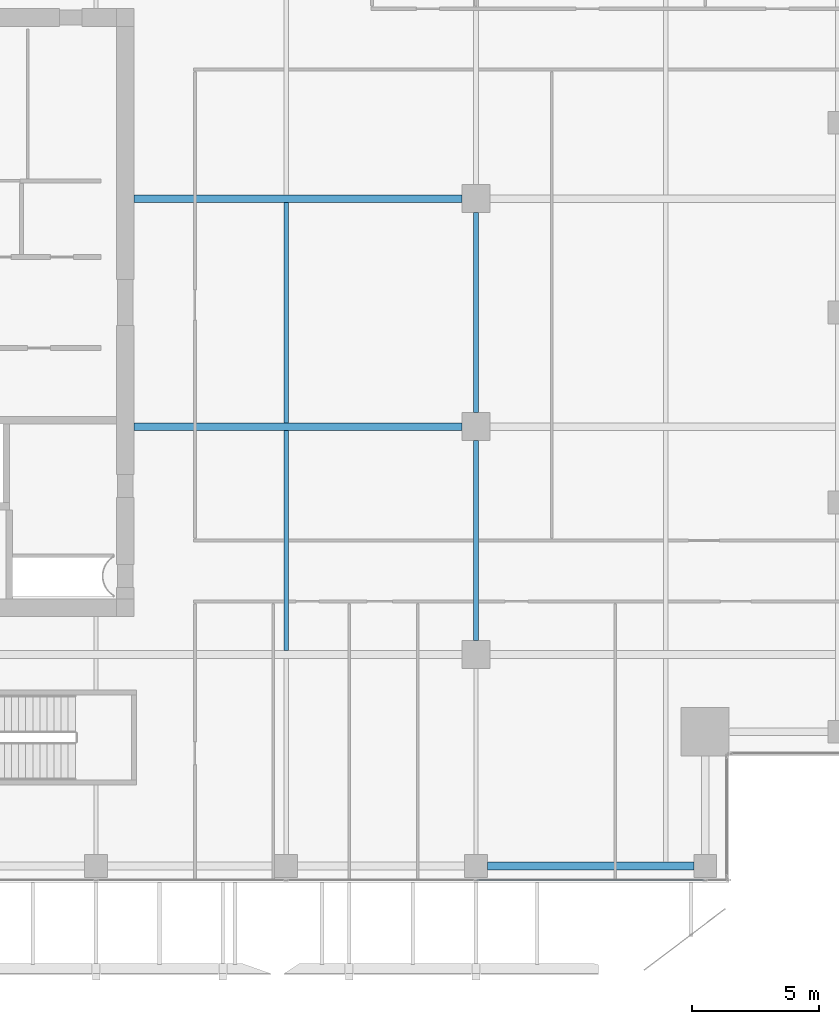
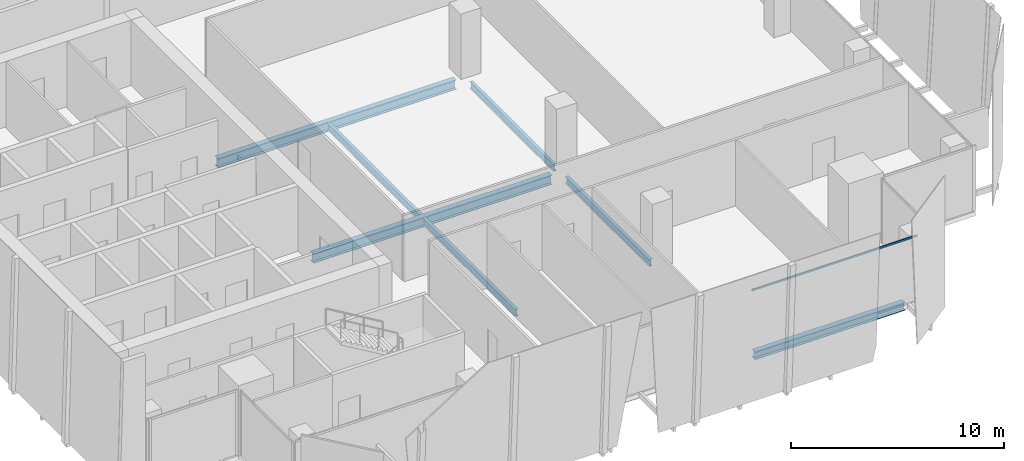
# One storey, part 7 of 35: 7 beams, 1 member, 1 element without a shape of its own.
"""IFC4 building model written with IfcOpenShell, lengths in metres."""

from ifc_helpers import new_model, si_unit, direction, frame, origin, origin_2d, place, context, subcontext, project, spatial, hollow_rectangle, i_section, extrude, source, transform, mapped, material, material_profile, profile_set, type_object, element, aggregate, save


model = new_model("IFC4")

# Units and contexts
model_context = context("Model", 3, precision=1e-05, world=origin(), true_north=direction((0.0, 1.0)))
body_context = subcontext(model_context, "Body", "Model", "MODEL_VIEW")
ifc_project = project(units=[si_unit("LENGTHUNIT", "METRE"), si_unit("AREAUNIT", "SQUARE_METRE"), si_unit("VOLUMEUNIT", "CUBIC_METRE"), si_unit("PLANEANGLEUNIT", "RADIAN"), si_unit("MASSUNIT", "GRAM", prefix="KILO")], contexts=[model_context])

# Site, building, storey
site_placement = place(None, origin())
site = spatial("IfcSite", under=ifc_project, at=site_placement, CompositionType="ELEMENT")
building_placement = place(site_placement, origin())
building = spatial("IfcBuilding", under=site, at=building_placement, Name="Khomas Fold Tower", CompositionType="ELEMENT")
storey_placement = place(building_placement, frame((0.0, 0.0, 266.199951171875)))
storey = spatial("IfcBuildingStorey", under=building, at=storey_placement, Name="L60", CompositionType="ELEMENT", Elevation=266.199951171875)

# Beams
ifc_material_1 = material(Name="Steel S355", Category="steel")
ifc_material_profile_1 = material_profile(ifc_material_1, i_section(OverallWidth=0.179931640625, OverallDepth=0.39990234375, WebThickness=0.008544921875, FlangeThickness=0.013427734375, at=origin_2d()), Name="IPE 400")
ifc_profile_set_1 = profile_set([ifc_material_profile_1], Name="Steel S355")
beam_type_1 = type_object("IfcBeamType", Name="IPE 400 beam JB3", PredefinedType="BEAM", material=ifc_profile_set_1)
shared_shape_1 = source(origin(), body_context, "Body", "SweptSolid", [
    extrude(i_section(OverallWidth=0.179931640625, OverallDepth=0.39990234375, WebThickness=0.008544921875, FlangeThickness=0.013427734375, at=origin_2d()), origin(), (0.0, 0.0, 1.0), 8.7001953125),
])
for number, where, z_axis, x_axis, name in (
    (1, (27.0, 13.64990234375, -0.449951171875), (0.0, 1.0, 0.0), (-1.0, 0.0, 0.0), "JB3"),
    (2, (27.0, 22.64990234375, -0.449951171875), (0.0, 1.0, 0.0), (-1.0, 0.0, 0.0), "JB3"),
):
    element("IfcBeam", number, at=place(storey_placement, frame(where, z_axis=z_axis, x_axis=x_axis)), inside=storey, type_object=beam_type_1, Name=name, PredefinedType="BEAM", context=body_context, shape_type="MappedRepresentation", body=[
        mapped(shared_shape_1, transform((0.0, 0.0, 0.0))),
    ])
ifc_material_2 = material(Name="Steel S355", Category="steel")
ifc_material_profile_2 = material_profile(ifc_material_2, i_section(OverallWidth=0.300048828125, OverallDepth=0.449951171875, WebThickness=0.013916015625, FlangeThickness=0.02587890625, at=origin_2d()), Name="HE 450 B")
ifc_profile_set_2 = profile_set([ifc_material_profile_2], Name="Steel S355")
beam_type_2 = type_object("IfcBeamType", Name="HE 450 B spandrel SB4", PredefinedType="SPANDREL", material=ifc_profile_set_2)
shared_shape_2 = source(origin(), body_context, "Body", "SweptSolid", [
    extrude(i_section(OverallWidth=0.300048828125, OverallDepth=0.449951171875, WebThickness=0.013916015625, FlangeThickness=0.02587890625, at=origin_2d()), origin(), (0.0, 0.0, 1.0), 8.150146484375),
])
beam_placement = place(storey_placement, frame((34.949951171875, 5.14990234375, -0.474853515625), z_axis=(1.0, 0.0, 0.0), x_axis=(0.0, 1.0, 0.0)))
element("IfcBeam", 3, at=beam_placement, inside=storey, type_object=beam_type_2, Name="SB4", PredefinedType="SPANDREL", context=body_context, shape_type="MappedRepresentation", body=[
    mapped(shared_shape_2, transform((0.0, 0.0, 0.0))),
])
ifc_material_3 = material(Name="Steel S355", Category="steel")
ifc_material_profile_3 = material_profile(ifc_material_3, i_section(OverallWidth=0.300048828125, OverallDepth=0.550048828125, WebThickness=0.014892578125, FlangeThickness=0.029052734375, at=origin_2d()), Name="HE 550 B")
ifc_profile_set_3 = profile_set([ifc_material_profile_3], Name="Steel S355")
beam_type_3 = type_object("IfcBeamType", Name="HE 550 B beam GB4", PredefinedType="BEAM", material=ifc_profile_set_3)
shared_shape_3 = source(origin(), body_context, "Body", "SweptSolid", [
    extrude(i_section(OverallWidth=0.300048828125, OverallDepth=0.550048828125, WebThickness=0.014892578125, FlangeThickness=0.029052734375, at=origin_2d()), origin(), (0.0, 0.0, 1.0), 12.949951171875),
])
for number, where, z_axis, x_axis, name in (
    (4, (21.0, 22.5, -0.52490234375), (1.0, 0.0, 0.0), (0.0, 1.0, 0.0), "GB4"),
    (5, (21.0, 31.5, -0.52490234375), (1.0, 0.0, 0.0), (0.0, 1.0, 0.0), "GB4"),
):
    element("IfcBeam", number, at=place(storey_placement, frame(where, z_axis=z_axis, x_axis=x_axis)), inside=storey, type_object=beam_type_3, Name=name, PredefinedType="BEAM", context=body_context, shape_type="MappedRepresentation", body=[
        mapped(shared_shape_3, transform((0.0, 0.0, 0.0))),
    ])
shared_shape_4 = source(origin(), body_context, "Body", "SweptSolid", [
    extrude(i_section(OverallWidth=0.179931640625, OverallDepth=0.39990234375, WebThickness=0.008544921875, FlangeThickness=0.013427734375, at=origin_2d()), origin(), (0.0, 0.0, 1.0), 7.89990234375),
])
for number, where, z_axis, x_axis, name in (
    (6, (34.5, 14.050048828125, -0.449951171875), (0.0, 1.0, 0.0), (-1.0, 0.0, 0.0), "JB3"),
    (7, (34.5, 23.050048828125, -0.449951171875), (0.0, 1.0, 0.0), (-1.0, 0.0, 0.0), "JB3"),
):
    element("IfcBeam", number, at=place(storey_placement, frame(where, z_axis=z_axis, x_axis=x_axis)), inside=storey, type_object=beam_type_1, Name=name, PredefinedType="BEAM", context=body_context, shape_type="MappedRepresentation", body=[
        mapped(shared_shape_4, transform((0.0, 0.0, 0.0))),
    ])

# Curtain wall, member
ifc_material_4 = material(Name="Aluminium framed double glazing", Category="aluminium")
curtain_wall_type = type_object("IfcCurtainWallType", Name="SK-Unitised clear-glass wall, office floors CW2", PredefinedType="NOTDEFINED", material=ifc_material_4)
curtain_wall_placement = place(storey_placement, origin())
curtain_wall = element("IfcCurtainWall", 8, at=curtain_wall_placement, inside=storey, type_object=curtain_wall_type, Name="CW2 run L60 00-0", PredefinedType="NOTDEFINED")
ifc_material_5 = material(Name="Aluminium", Category="aluminium")
ifc_material_profile_4 = material_profile(ifc_material_5, hollow_rectangle(XDim=0.050048828125, YDim=0.110107421875, WallThickness=0.00390625, at=origin_2d()), Name="SK-Unitised clear-glass wall, office floors transom CW2-T")
ifc_profile_set_4 = profile_set([ifc_material_profile_4], Name="Aluminium")
member_type = type_object("IfcMemberType", Name="SK-Unitised clear-glass wall, office floors transom CW2-T", PredefinedType="USERDEFINED", material=ifc_profile_set_4)
shared_shape_5 = source(origin(), body_context, "Body", "SweptSolid", [
    extrude(hollow_rectangle(XDim=0.050048828125, YDim=0.110107421875, WallThickness=0.00390625, at=origin_2d()), origin(), (0.0, 0.0, 1.0), 8.989990234375),
])
member_placement = place(storey_placement, frame((34.530029296875, 4.60009765625, 3.695068359375), z_axis=(1.0, 0.0, 0.0), x_axis=(0.0, 1.0, 0.0)))
member = element("IfcMember", 9, at=member_placement, type_object=member_type, Name="CW2 transom 5", ObjectType="TRANSOM", PredefinedType="USERDEFINED", context=body_context, shape_type="MappedRepresentation", body=[
    mapped(shared_shape_5, transform((0.0, 0.0, 0.0))),
])
aggregate(curtain_wall, [member])

save(model, "model.ifc")
